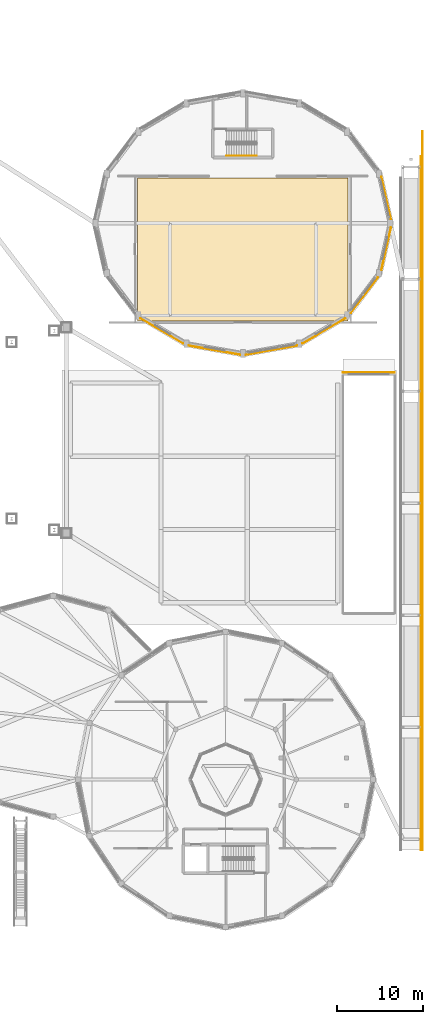
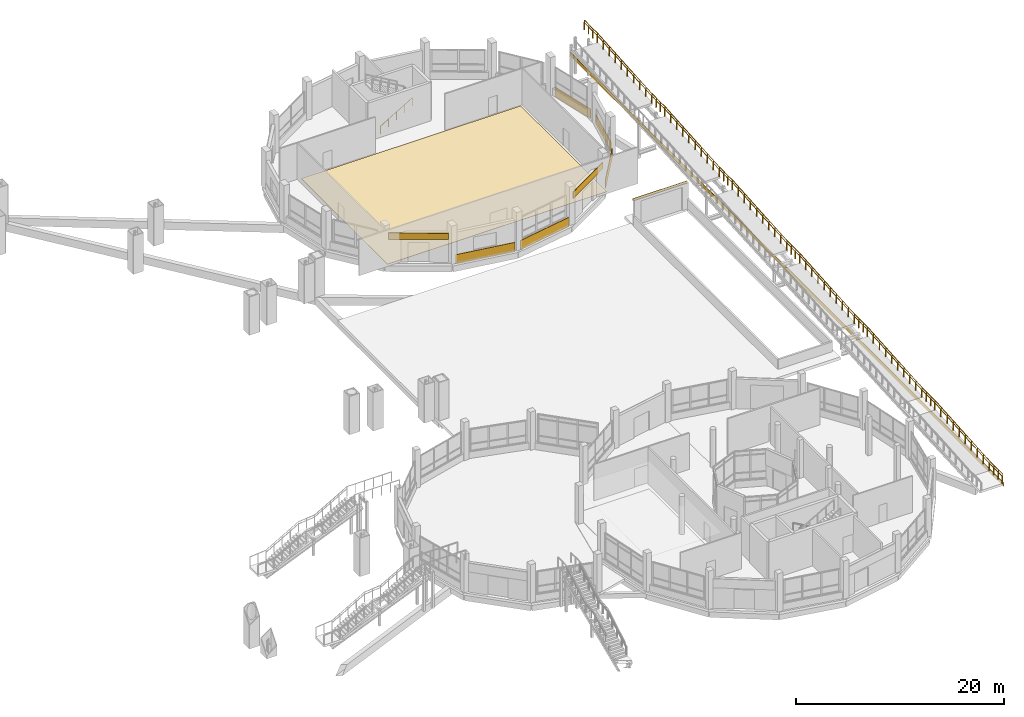
# One storey, part 128 of 129: 10 coverings, 3 railings.
"""IFC4 building model written with IfcOpenShell, lengths in metres."""

from ifc_helpers import new_model, si_unit, direction, frame, frame_2d, origin, origin_2d, place, context, subcontext, project, spatial, polyline, rectangle, circle, outline, extrude, material, layer, layer_set, type_object, element, save


model = new_model("IFC4")

# Units and contexts
model_context = context("Model", 3, precision=1e-05, world=origin(), true_north=direction((0.0, 1.0)))
body_context = subcontext(model_context, "Body", "Model", "MODEL_VIEW")
ifc_project = project(units=[si_unit("LENGTHUNIT", "METRE"), si_unit("AREAUNIT", "SQUARE_METRE"), si_unit("VOLUMEUNIT", "CUBIC_METRE"), si_unit("PLANEANGLEUNIT", "RADIAN"), si_unit("MASSUNIT", "GRAM", prefix="KILO")], contexts=[model_context])

# Site, building, storey
site_placement = place(None, origin())
site = spatial("IfcSite", under=ifc_project, at=site_placement, CompositionType="ELEMENT")
building_placement = place(site_placement, origin())
building = spatial("IfcBuilding", under=site, at=building_placement, Name="Vespera Passage Community Centre", CompositionType="ELEMENT")
storey_placement = place(building_placement, origin())
storey = spatial("IfcBuildingStorey", under=building, at=storey_placement, Name="L00", CompositionType="ELEMENT", Elevation=0.0)

# Coverings
ifc_material_1 = material(Name="Precast concrete f'c 40 MPa", Category="concrete")
ifc_layer_1 = layer(ifc_material_1, 0.06005859375)
ifc_layer_set_1 = layer_set([ifc_layer_1], Name="Precast concrete f'c 40 MPa")
covering_type_1 = type_object("IfcCoveringType", Name="COV-CLAD-60E", PredefinedType="CLADDING", material=ifc_layer_set_1)
covering_1_placement = place(storey_placement, frame((159.07958984375, 94.894775390625, -0.260009765625), z_axis=(0.0, 0.0, 1.0), x_axis=(0.219734171438, -0.975559784894, 0.0)))
element("IfcCovering", 1, at=covering_1_placement, inside=storey, type_object=covering_type_1, Name="V2 L00 White Spandrel Band 1", PredefinedType="CLADDING", context=body_context, shape_type="SweptSolid", body=[
    extrude(rectangle(XDim=5.051025390625, YDim=0.06005859375, at=frame_2d((2.525390625, 0.0))), origin(), (0.0, 0.0, 1.0), 1.110107421875),
])
covering_2_placement = place(storey_placement, frame((136.0810546875, 75.550048828125, 2.699951171875), z_axis=(0.0, 0.0, 1.0), x_axis=(-0.861246761334, 0.508186989297, 0.0)))
element("IfcCovering", 2, at=covering_2_placement, inside=storey, type_object=covering_type_1, Name="V2 L00 Exit White Fascia 11", PredefinedType="CLADDING", context=body_context, shape_type="SweptSolid", body=[
    extrude(rectangle(XDim=5.794677734375, YDim=0.06005859375, at=frame_2d((2.8974609375, 0.0))), origin(), (0.0, 0.0, 1.0), 0.7451171875),
])
for number, where, z_axis, x_axis, name in (
    (3, (142.691650390625, 74.26123046875, -0.260009765625), (0.0, 0.0, 1.0), (-0.984920582468, 0.173007069888, 0.0), "V2 L00 White Sill Band 12"),
    (4, (149.301513671875, 75.31396484375, -0.260009765625), (0.0, 0.0, 1.0), (-0.984920582468, -0.173007069888, 0.0), "V2 L00 White Spandrel Band 13"),
):
    element("IfcCovering", number, at=place(storey_placement, frame(where, z_axis=z_axis, x_axis=x_axis)), inside=storey, type_object=covering_type_1, Name=name, PredefinedType="CLADDING", context=body_context, shape_type="SweptSolid", body=[
        extrude(rectangle(XDim=6.0849609375, YDim=0.06005859375, at=frame_2d((3.04248046875, 0.0))), origin(), (0.0, 0.0, 1.0), 1.110107421875),
    ])
covering_3_placement = place(storey_placement, frame((154.90966796875, 78.494873046875, 2.699951171875), z_axis=(0.0, 0.0, 1.0), x_axis=(-0.861246761334, -0.508186989297, 0.0)))
element("IfcCovering", 5, at=covering_3_placement, inside=storey, type_object=covering_type_1, Name="V2 L00 Exit White Fascia 14", PredefinedType="CLADDING", context=body_context, shape_type="SweptSolid", body=[
    extrude(rectangle(XDim=5.794677734375, YDim=0.06005859375, at=frame_2d((2.8974609375, 0.0))), origin(), (0.0, 0.0, 1.0), 0.7451171875),
])
covering_4_placement = place(storey_placement, frame((158.664794921875, 83.23046875, -0.260009765625), z_axis=(0.0, 0.0, 1.0), x_axis=(-0.603398282319, -0.797439974477, 0.0)))
element("IfcCovering", 6, at=covering_4_placement, inside=storey, type_object=covering_type_1, Name="V2 L00 White Spandrel Band 15", PredefinedType="CLADDING", context=body_context, shape_type="SweptSolid", body=[
    extrude(rectangle(XDim=5.19873046875, YDim=0.06005859375, at=frame_2d((2.599365234375, 0.0))), origin(), (0.0, 0.0, 1.0), 1.110107421875),
])
covering_5_placement = place(storey_placement, frame((160.189453125, 89.03271484375, -0.260009765625), z_axis=(0.0, 0.0, 1.0), x_axis=(-0.219734171438, -0.975559784894, 0.0)))
element("IfcCovering", 7, at=covering_5_placement, inside=storey, type_object=covering_type_1, Name="V2 L00 White Sill Band 16", PredefinedType="CLADDING", context=body_context, shape_type="SweptSolid", body=[
    extrude(rectangle(XDim=5.051025390625, YDim=0.06005859375, at=frame_2d((2.525390625, 0.0))), origin(), (0.0, 0.0, 1.0), 1.110107421875),
])
covering_6_placement = place(storey_placement, frame((154.60009765625, 72.18994140625, 2.800048828125), z_axis=(0.0, 0.0, 1.0), x_axis=(1.0, 0.0, 0.0)))
element("IfcCovering", 8, at=covering_6_placement, inside=storey, type_object=covering_type_1, Name="VR1 Portal White Fascia", PredefinedType="CLADDING", context=body_context, shape_type="SweptSolid", body=[
    extrude(rectangle(XDim=6.0, YDim=0.06005859375, at=frame_2d((3.0, 0.0))), origin(), (0.0, 0.0, 1.0), 0.25),
])
covering_7_placement = place(storey_placement, frame((163.830078125, 16.800048828125, -0.3798828125), z_axis=(0.0, 0.0, 1.0), x_axis=(0.0, 1.0, 0.0)))
element("IfcCovering", 9, at=covering_7_placement, inside=storey, type_object=covering_type_1, Name="At-Grade Civic Plinth Skirt RB1-E", PredefinedType="CLADDING", context=body_context, shape_type="SweptSolid", body=[
    extrude(rectangle(XDim=83.39990234375, YDim=0.06005859375, at=frame_2d((41.699951171875, 0.0))), origin(), (0.0, 0.0, 1.0), 0.429931640625),
])
ifc_material_2 = material(Name="Sprung maple sports flooring", Category="wood")
ifc_layer_2 = layer(ifc_material_2, 0.034912109375)
ifc_layer_set_2 = layer_set([ifc_layer_2], Name="Sprung maple sports flooring")
covering_type_2 = type_object("IfcCoveringType", Name="COV-SPORT-35I", PredefinedType="FLOORING", material=ifc_layer_set_2)
covering_8_placement = place(storey_placement, origin())
element("IfcCovering", 10, at=covering_8_placement, inside=storey, type_object=covering_type_2, Name="Sports Hall Sprung Maple Court Flooring", PredefinedType="FLOORING", context=body_context, shape_type="SweptSolid", body=[
    extrude(outline(polyline([(130.800048828125, 78.199951171875), (155.199951171875, 78.199951171875), (155.199951171875, 94.800048828125), (130.800048828125, 94.800048828125), (130.800048828125, 78.199951171875)])), origin(), (0.0, 0.0, 1.0), 0.034912109375),
])

# Railings
ifc_material_3 = material(Name="Steel ASTM A500 Grade C", Category="steel")
railing_type_1 = type_object("IfcRailingType", Name="RL-EXT-1100E", PredefinedType="GUARDRAIL", material=ifc_material_3)
railing_1_placement = place(storey_placement, frame((163.719970703125, 16.800048828125, 0.0)))
element("IfcRailing", 11, at=railing_1_placement, inside=storey, type_object=railing_type_1, Name="Ramped Garden Bridge E Guard", PredefinedType="GUARDRAIL", context=body_context, shape_type="SweptSolid", body=[
    extrude(circle(Radius=0.02392578125, at=origin_2d()), frame((0.0, 0.0, 1.09619140625), z_axis=(0.0, 1.0, 0.0), x_axis=(-1.0, 0.0, 0.0)), (0.0, 0.0, 1.0), 2.5),
    extrude(circle(Radius=0.02392578125, at=origin_2d()), frame((0.0, 2.5, 1.09619140625), z_axis=(0.0, 0.997458699831, 0.071247049988), x_axis=(-1.0, 0.0, 0.0)), (0.0, 0.0, 1.0), 10.52685546875),
    extrude(circle(Radius=0.02392578125, at=origin_2d()), frame((0.0, 13.0, 1.84619140625), z_axis=(0.0, 1.0, 0.0), x_axis=(-1.0, 0.0, 0.0)), (0.0, 0.0, 1.0), 2.5),
    extrude(circle(Radius=0.02392578125, at=origin_2d()), frame((0.0, 15.5, 1.84619140625), z_axis=(0.0, 0.997458699831, 0.071247049988), x_axis=(-1.0, 0.0, 0.0)), (0.0, 0.0, 1.0), 10.52685546875),
    extrude(circle(Radius=0.02392578125, at=origin_2d()), frame((0.0, 26.0, 2.59619140625), z_axis=(0.0, 1.0, 0.0), x_axis=(-1.0, 0.0, 0.0)), (0.0, 0.0, 1.0), 2.5),
    extrude(circle(Radius=0.02392578125, at=origin_2d()), frame((0.0, 28.5, 2.59619140625), z_axis=(0.0, 0.997458699831, 0.071247049988), x_axis=(-1.0, 0.0, 0.0)), (0.0, 0.0, 1.0), 10.52685546875),
    extrude(circle(Radius=0.02392578125, at=origin_2d()), frame((0.0, 39.0, 3.34619140625), z_axis=(0.0, 1.0, 0.0), x_axis=(-1.0, 0.0, 0.0)), (0.0, 0.0, 1.0), 2.5),
    extrude(circle(Radius=0.02392578125, at=origin_2d()), frame((0.0, 41.5, 3.34619140625), z_axis=(0.0, 0.997458699831, 0.071247049988), x_axis=(-1.0, 0.0, 0.0)), (0.0, 0.0, 1.0), 10.52685546875),
    extrude(circle(Radius=0.02392578125, at=origin_2d()), frame((0.0, 52.0, 4.09619140625), z_axis=(0.0, 1.0, 0.0), x_axis=(-1.0, 0.0, 0.0)), (0.0, 0.0, 1.0), 2.5),
    extrude(circle(Radius=0.02392578125, at=origin_2d()), frame((0.0, 54.5, 4.09619140625), z_axis=(0.0, 0.997458699831, 0.071247049988), x_axis=(-1.0, 0.0, 0.0)), (0.0, 0.0, 1.0), 10.52685546875),
    extrude(circle(Radius=0.02392578125, at=origin_2d()), frame((0.0, 65.0, 4.84619140625), z_axis=(0.0, 1.0, 0.0), x_axis=(-1.0, 0.0, 0.0)), (0.0, 0.0, 1.0), 2.5),
    extrude(circle(Radius=0.02392578125, at=origin_2d()), frame((0.0, 67.5, 4.84619140625), z_axis=(0.0, 0.997458699831, 0.071247049988), x_axis=(-1.0, 0.0, 0.0)), (0.0, 0.0, 1.0), 10.52685546875),
    extrude(circle(Radius=0.02392578125, at=origin_2d()), frame((0.0, 78.0, 5.59619140625), z_axis=(0.0, 1.0, 0.0), x_axis=(-1.0, 0.0, 0.0)), (0.0, 0.0, 1.0), 2.5),
    extrude(circle(Radius=0.02099609375, at=origin_2d()), origin(), (0.0, 0.0, 1.0), 1.072021484375),
    extrude(circle(Radius=0.02099609375, at=origin_2d()), frame((0.0, 0.833251953125, 0.0)), (0.0, 0.0, 1.0), 1.072021484375),
    extrude(circle(Radius=0.02099609375, at=origin_2d()), frame((0.0, 1.666748046875, 0.0)), (0.0, 0.0, 1.0), 1.072021484375),
    extrude(circle(Radius=0.02099609375, at=origin_2d()), frame((0.0, 2.5, 0.0)), (0.0, 0.0, 1.0), 1.072021484375),
    extrude(circle(Radius=0.02099609375, at=origin_2d()), frame((0.0, 3.666748046875, 0.083251953125)), (0.0, 0.0, 1.0), 1.072021484375),
    extrude(circle(Radius=0.02099609375, at=origin_2d()), frame((0.0, 4.833251953125, 0.166748046875)), (0.0, 0.0, 1.0), 1.072021484375),
    extrude(circle(Radius=0.02099609375, at=origin_2d()), frame((0.0, 6.0, 0.25)), (0.0, 0.0, 1.0), 1.072021484375),
    extrude(circle(Radius=0.02099609375, at=origin_2d()), frame((0.0, 7.166748046875, 0.333251953125)), (0.0, 0.0, 1.0), 1.072021484375),
    extrude(circle(Radius=0.02099609375, at=origin_2d()), frame((0.0, 8.333251953125, 0.416748046875)), (0.0, 0.0, 1.0), 1.072021484375),
    extrude(circle(Radius=0.02099609375, at=origin_2d()), frame((0.0, 9.5, 0.5)), (0.0, 0.0, 1.0), 1.072021484375),
    extrude(circle(Radius=0.02099609375, at=origin_2d()), frame((0.0, 10.666748046875, 0.583251953125)), (0.0, 0.0, 1.0), 1.072021484375),
    extrude(circle(Radius=0.02099609375, at=origin_2d()), frame((0.0, 11.833251953125, 0.666748046875)), (0.0, 0.0, 1.0), 1.072021484375),
    extrude(circle(Radius=0.02099609375, at=origin_2d()), frame((0.0, 13.0, 0.75)), (0.0, 0.0, 1.0), 1.072021484375),
    extrude(circle(Radius=0.02099609375, at=origin_2d()), frame((0.0, 13.833251953125, 0.75)), (0.0, 0.0, 1.0), 1.072021484375),
    extrude(circle(Radius=0.02099609375, at=origin_2d()), frame((0.0, 14.666748046875, 0.75)), (0.0, 0.0, 1.0), 1.072021484375),
    extrude(circle(Radius=0.02099609375, at=origin_2d()), frame((0.0, 15.5, 0.75)), (0.0, 0.0, 1.0), 1.072021484375),
    extrude(circle(Radius=0.02099609375, at=origin_2d()), frame((0.0, 16.666748046875, 0.833251953125)), (0.0, 0.0, 1.0), 1.072021484375),
    extrude(circle(Radius=0.02099609375, at=origin_2d()), frame((0.0, 17.833251953125, 0.916748046875)), (0.0, 0.0, 1.0), 1.072021484375),
    extrude(circle(Radius=0.02099609375, at=origin_2d()), frame((0.0, 19.0, 1.0)), (0.0, 0.0, 1.0), 1.072021484375),
    extrude(circle(Radius=0.02099609375, at=origin_2d()), frame((0.0, 20.166748046875, 1.083251953125)), (0.0, 0.0, 1.0), 1.072021484375),
    extrude(circle(Radius=0.02099609375, at=origin_2d()), frame((0.0, 21.333251953125, 1.166748046875)), (0.0, 0.0, 1.0), 1.072021484375),
    extrude(circle(Radius=0.02099609375, at=origin_2d()), frame((0.0, 22.5, 1.25)), (0.0, 0.0, 1.0), 1.072021484375),
    extrude(circle(Radius=0.02099609375, at=origin_2d()), frame((0.0, 23.666748046875, 1.333251953125)), (0.0, 0.0, 1.0), 1.072021484375),
    extrude(circle(Radius=0.02099609375, at=origin_2d()), frame((0.0, 24.833251953125, 1.416748046875)), (0.0, 0.0, 1.0), 1.072021484375),
    extrude(circle(Radius=0.02099609375, at=origin_2d()), frame((0.0, 26.0, 1.5)), (0.0, 0.0, 1.0), 1.072021484375),
    extrude(circle(Radius=0.02099609375, at=origin_2d()), frame((0.0, 26.833251953125, 1.5)), (0.0, 0.0, 1.0), 1.072021484375),
    extrude(circle(Radius=0.02099609375, at=origin_2d()), frame((0.0, 27.666748046875, 1.5)), (0.0, 0.0, 1.0), 1.072021484375),
    extrude(circle(Radius=0.02099609375, at=origin_2d()), frame((0.0, 28.5, 1.5)), (0.0, 0.0, 1.0), 1.072021484375),
    extrude(circle(Radius=0.02099609375, at=origin_2d()), frame((0.0, 29.666748046875, 1.583251953125)), (0.0, 0.0, 1.0), 1.072021484375),
    extrude(circle(Radius=0.02099609375, at=origin_2d()), frame((0.0, 30.833251953125, 1.666748046875)), (0.0, 0.0, 1.0), 1.072021484375),
    extrude(circle(Radius=0.02099609375, at=origin_2d()), frame((0.0, 32.0, 1.75)), (0.0, 0.0, 1.0), 1.072021484375),
    extrude(circle(Radius=0.02099609375, at=origin_2d()), frame((0.0, 33.166748046875, 1.833251953125)), (0.0, 0.0, 1.0), 1.072021484375),
    extrude(circle(Radius=0.02099609375, at=origin_2d()), frame((0.0, 34.333251953125, 1.916748046875)), (0.0, 0.0, 1.0), 1.072021484375),
    extrude(circle(Radius=0.02099609375, at=origin_2d()), frame((0.0, 35.5, 2.0)), (0.0, 0.0, 1.0), 1.072021484375),
    extrude(circle(Radius=0.02099609375, at=origin_2d()), frame((0.0, 36.666748046875, 2.083251953125)), (0.0, 0.0, 1.0), 1.072021484375),
    extrude(circle(Radius=0.02099609375, at=origin_2d()), frame((0.0, 37.833251953125, 2.166748046875)), (0.0, 0.0, 1.0), 1.072021484375),
    extrude(circle(Radius=0.02099609375, at=origin_2d()), frame((0.0, 39.0, 2.25)), (0.0, 0.0, 1.0), 1.072021484375),
    extrude(circle(Radius=0.02099609375, at=origin_2d()), frame((0.0, 39.833251953125, 2.25)), (0.0, 0.0, 1.0), 1.072021484375),
    extrude(circle(Radius=0.02099609375, at=origin_2d()), frame((0.0, 40.666748046875, 2.25)), (0.0, 0.0, 1.0), 1.072021484375),
    extrude(circle(Radius=0.02099609375, at=origin_2d()), frame((0.0, 41.5, 2.25)), (0.0, 0.0, 1.0), 1.072021484375),
    extrude(circle(Radius=0.02099609375, at=origin_2d()), frame((0.0, 42.666748046875, 2.333251953125)), (0.0, 0.0, 1.0), 1.072021484375),
    extrude(circle(Radius=0.02099609375, at=origin_2d()), frame((0.0, 43.833251953125, 2.416748046875)), (0.0, 0.0, 1.0), 1.072021484375),
    extrude(circle(Radius=0.02099609375, at=origin_2d()), frame((0.0, 45.0, 2.5)), (0.0, 0.0, 1.0), 1.072021484375),
    extrude(circle(Radius=0.02099609375, at=origin_2d()), frame((0.0, 46.166748046875, 2.583251953125)), (0.0, 0.0, 1.0), 1.072021484375),
    extrude(circle(Radius=0.02099609375, at=origin_2d()), frame((0.0, 47.333251953125, 2.666748046875)), (0.0, 0.0, 1.0), 1.072021484375),
    extrude(circle(Radius=0.02099609375, at=origin_2d()), frame((0.0, 48.5, 2.75)), (0.0, 0.0, 1.0), 1.072021484375),
    extrude(circle(Radius=0.02099609375, at=origin_2d()), frame((0.0, 49.666748046875, 2.833251953125)), (0.0, 0.0, 1.0), 1.072021484375),
    extrude(circle(Radius=0.02099609375, at=origin_2d()), frame((0.0, 50.833251953125, 2.916748046875)), (0.0, 0.0, 1.0), 1.072021484375),
    extrude(circle(Radius=0.02099609375, at=origin_2d()), frame((0.0, 52.0, 3.0)), (0.0, 0.0, 1.0), 1.072021484375),
    extrude(circle(Radius=0.02099609375, at=origin_2d()), frame((0.0, 52.833251953125, 3.0)), (0.0, 0.0, 1.0), 1.072021484375),
    extrude(circle(Radius=0.02099609375, at=origin_2d()), frame((0.0, 53.666748046875, 3.0)), (0.0, 0.0, 1.0), 1.072021484375),
    extrude(circle(Radius=0.02099609375, at=origin_2d()), frame((0.0, 54.5, 3.0)), (0.0, 0.0, 1.0), 1.072021484375),
    extrude(circle(Radius=0.02099609375, at=origin_2d()), frame((0.0, 55.666748046875, 3.083251953125)), (0.0, 0.0, 1.0), 1.072021484375),
    extrude(circle(Radius=0.02099609375, at=origin_2d()), frame((0.0, 56.833251953125, 3.166748046875)), (0.0, 0.0, 1.0), 1.072021484375),
    extrude(circle(Radius=0.02099609375, at=origin_2d()), frame((0.0, 58.0, 3.25)), (0.0, 0.0, 1.0), 1.072021484375),
    extrude(circle(Radius=0.02099609375, at=origin_2d()), frame((0.0, 59.166748046875, 3.333251953125)), (0.0, 0.0, 1.0), 1.072021484375),
    extrude(circle(Radius=0.02099609375, at=origin_2d()), frame((0.0, 60.333251953125, 3.416748046875)), (0.0, 0.0, 1.0), 1.072021484375),
    extrude(circle(Radius=0.02099609375, at=origin_2d()), frame((0.0, 61.5, 3.5)), (0.0, 0.0, 1.0), 1.072021484375),
    extrude(circle(Radius=0.02099609375, at=origin_2d()), frame((0.0, 62.666748046875, 3.583251953125)), (0.0, 0.0, 1.0), 1.072021484375),
    extrude(circle(Radius=0.02099609375, at=origin_2d()), frame((0.0, 63.833251953125, 3.666748046875)), (0.0, 0.0, 1.0), 1.072021484375),
    extrude(circle(Radius=0.02099609375, at=origin_2d()), frame((0.0, 65.0, 3.75)), (0.0, 0.0, 1.0), 1.072021484375),
    extrude(circle(Radius=0.02099609375, at=origin_2d()), frame((0.0, 65.833251953125, 3.75)), (0.0, 0.0, 1.0), 1.072021484375),
    extrude(circle(Radius=0.02099609375, at=origin_2d()), frame((0.0, 66.666748046875, 3.75)), (0.0, 0.0, 1.0), 1.072021484375),
    extrude(circle(Radius=0.02099609375, at=origin_2d()), frame((0.0, 67.5, 3.75)), (0.0, 0.0, 1.0), 1.072021484375),
    extrude(circle(Radius=0.02099609375, at=origin_2d()), frame((0.0, 68.666748046875, 3.833251953125)), (0.0, 0.0, 1.0), 1.072021484375),
    extrude(circle(Radius=0.02099609375, at=origin_2d()), frame((0.0, 69.833251953125, 3.916748046875)), (0.0, 0.0, 1.0), 1.072021484375),
    extrude(circle(Radius=0.02099609375, at=origin_2d()), frame((0.0, 71.0, 4.0)), (0.0, 0.0, 1.0), 1.072021484375),
    extrude(circle(Radius=0.02099609375, at=origin_2d()), frame((0.0, 72.166748046875, 4.083251953125)), (0.0, 0.0, 1.0), 1.072021484375),
    extrude(circle(Radius=0.02099609375, at=origin_2d()), frame((0.0, 73.333251953125, 4.166748046875)), (0.0, 0.0, 1.0), 1.072021484375),
    extrude(circle(Radius=0.02099609375, at=origin_2d()), frame((0.0, 74.5, 4.25)), (0.0, 0.0, 1.0), 1.072021484375),
    extrude(circle(Radius=0.02099609375, at=origin_2d()), frame((0.0, 75.666748046875, 4.333251953125)), (0.0, 0.0, 1.0), 1.072021484375),
    extrude(circle(Radius=0.02099609375, at=origin_2d()), frame((0.0, 76.833251953125, 4.416748046875)), (0.0, 0.0, 1.0), 1.072021484375),
    extrude(circle(Radius=0.02099609375, at=origin_2d()), frame((0.0, 78.0, 4.5)), (0.0, 0.0, 1.0), 1.072021484375),
    extrude(circle(Radius=0.02099609375, at=origin_2d()), frame((0.0, 78.833251953125, 4.5)), (0.0, 0.0, 1.0), 1.072021484375),
    extrude(circle(Radius=0.02099609375, at=origin_2d()), frame((0.0, 79.666748046875, 4.5)), (0.0, 0.0, 1.0), 1.072021484375),
    extrude(circle(Radius=0.02099609375, at=origin_2d()), frame((0.0, 80.5, 4.5)), (0.0, 0.0, 1.0), 1.072021484375),
])
ifc_material_4 = material(Name="Steel ASTM A500 Grade C", Category="steel")
railing_type_2 = type_object("IfcRailingType", Name="RL-HAND-900I", PredefinedType="HANDRAIL", material=ifc_material_4)
railing_2_placement = place(storey_placement, frame((141.074951171875, 97.35009765625, 0.173095703125)))
element("IfcRailing", 12, at=railing_2_placement, inside=storey, type_object=railing_type_2, Name="L00 ST07 stair handrail 1", PredefinedType="HANDRAIL", context=body_context, shape_type="SweptSolid", body=[
    extrude(circle(Radius=0.02392578125, at=origin_2d()), frame((0.0, 0.0, 0.8759765625), z_axis=(0.862516251723, 0.0, 0.506029362304), x_axis=(0.0, 1.0, 0.0)), (0.0, 0.0, 1.0), 4.104248046875),
    extrude(circle(Radius=0.02099609375, at=origin_2d()), origin(), (0.0, 0.0, 1.0), 0.851806640625),
    extrude(circle(Radius=0.02099609375, at=origin_2d()), frame((0.885009765625, 0.0, 0.519287109375)), (0.0, 0.0, 1.0), 0.851806640625),
    extrude(circle(Radius=0.02099609375, at=origin_2d()), frame((1.77001953125, 0.0, 1.03857421875)), (0.0, 0.0, 1.0), 0.851806640625),
    extrude(circle(Radius=0.02099609375, at=origin_2d()), frame((2.655029296875, 0.0, 1.5576171875)), (0.0, 0.0, 1.0), 0.851806640625),
    extrude(circle(Radius=0.02099609375, at=origin_2d()), frame((3.5400390625, 0.0, 2.076904296875)), (0.0, 0.0, 1.0), 0.851806640625),
])
ifc_material_5 = material(Name="Steel ASTM A500 Grade C", Category="steel")
railing_type_3 = type_object("IfcRailingType", Name="RL-HR-900E", PredefinedType="HANDRAIL", material=ifc_material_5)
railing_3_placement = place(storey_placement, frame((163.659912109375, 16.800048828125, 0.0)))
element("IfcRailing", 13, at=railing_3_placement, inside=storey, type_object=railing_type_3, Name="Ramped Garden Bridge E Handrail", PredefinedType="HANDRAIL", context=body_context, shape_type="SweptSolid", body=[
    extrude(circle(Radius=0.02392578125, at=origin_2d()), frame((0.0, 0.0, 0.8759765625), z_axis=(0.0, 1.0, 0.0), x_axis=(-1.0, 0.0, 0.0)), (0.0, 0.0, 1.0), 2.5),
    extrude(circle(Radius=0.02392578125, at=origin_2d()), frame((0.0, 2.5, 0.8759765625), z_axis=(0.0, 0.997458699831, 0.071247049988), x_axis=(-1.0, 0.0, 0.0)), (0.0, 0.0, 1.0), 10.52685546875),
    extrude(circle(Radius=0.02392578125, at=origin_2d()), frame((0.0, 13.0, 1.6259765625), z_axis=(0.0, 1.0, 0.0), x_axis=(-1.0, 0.0, 0.0)), (0.0, 0.0, 1.0), 2.5),
    extrude(circle(Radius=0.02392578125, at=origin_2d()), frame((0.0, 15.5, 1.6259765625), z_axis=(0.0, 0.997458699831, 0.071247049988), x_axis=(-1.0, 0.0, 0.0)), (0.0, 0.0, 1.0), 10.52685546875),
    extrude(circle(Radius=0.02392578125, at=origin_2d()), frame((0.0, 26.0, 2.3759765625), z_axis=(0.0, 1.0, 0.0), x_axis=(-1.0, 0.0, 0.0)), (0.0, 0.0, 1.0), 2.5),
    extrude(circle(Radius=0.02392578125, at=origin_2d()), frame((0.0, 28.5, 2.3759765625), z_axis=(0.0, 0.997458699831, 0.071247049988), x_axis=(-1.0, 0.0, 0.0)), (0.0, 0.0, 1.0), 10.52685546875),
    extrude(circle(Radius=0.02392578125, at=origin_2d()), frame((0.0, 39.0, 3.1259765625), z_axis=(0.0, 1.0, 0.0), x_axis=(-1.0, 0.0, 0.0)), (0.0, 0.0, 1.0), 2.5),
    extrude(circle(Radius=0.02392578125, at=origin_2d()), frame((0.0, 41.5, 3.1259765625), z_axis=(0.0, 0.997458699831, 0.071247049988), x_axis=(-1.0, 0.0, 0.0)), (0.0, 0.0, 1.0), 10.52685546875),
    extrude(circle(Radius=0.02392578125, at=origin_2d()), frame((0.0, 52.0, 3.8759765625), z_axis=(0.0, 1.0, 0.0), x_axis=(-1.0, 0.0, 0.0)), (0.0, 0.0, 1.0), 2.5),
    extrude(circle(Radius=0.02392578125, at=origin_2d()), frame((0.0, 54.5, 3.8759765625), z_axis=(0.0, 0.997458699831, 0.071247049988), x_axis=(-1.0, 0.0, 0.0)), (0.0, 0.0, 1.0), 10.52685546875),
    extrude(circle(Radius=0.02392578125, at=origin_2d()), frame((0.0, 65.0, 4.6259765625), z_axis=(0.0, 1.0, 0.0), x_axis=(-1.0, 0.0, 0.0)), (0.0, 0.0, 1.0), 2.5),
    extrude(circle(Radius=0.02392578125, at=origin_2d()), frame((0.0, 67.5, 4.6259765625), z_axis=(0.0, 0.997458699831, 0.071247049988), x_axis=(-1.0, 0.0, 0.0)), (0.0, 0.0, 1.0), 10.52685546875),
    extrude(circle(Radius=0.02392578125, at=origin_2d()), frame((0.0, 78.0, 5.3759765625), z_axis=(0.0, 1.0, 0.0), x_axis=(-1.0, 0.0, 0.0)), (0.0, 0.0, 1.0), 2.5),
    extrude(circle(Radius=0.02099609375, at=origin_2d()), origin(), (0.0, 0.0, 1.0), 0.851806640625),
    extrude(circle(Radius=0.02099609375, at=origin_2d()), frame((0.0, 0.833251953125, 0.0)), (0.0, 0.0, 1.0), 0.851806640625),
    extrude(circle(Radius=0.02099609375, at=origin_2d()), frame((0.0, 1.666748046875, 0.0)), (0.0, 0.0, 1.0), 0.851806640625),
    extrude(circle(Radius=0.02099609375, at=origin_2d()), frame((0.0, 2.5, 0.0)), (0.0, 0.0, 1.0), 0.851806640625),
    extrude(circle(Radius=0.02099609375, at=origin_2d()), frame((0.0, 3.666748046875, 0.083251953125)), (0.0, 0.0, 1.0), 0.851806640625),
    extrude(circle(Radius=0.02099609375, at=origin_2d()), frame((0.0, 4.833251953125, 0.166748046875)), (0.0, 0.0, 1.0), 0.851806640625),
    extrude(circle(Radius=0.02099609375, at=origin_2d()), frame((0.0, 6.0, 0.25)), (0.0, 0.0, 1.0), 0.851806640625),
    extrude(circle(Radius=0.02099609375, at=origin_2d()), frame((0.0, 7.166748046875, 0.333251953125)), (0.0, 0.0, 1.0), 0.851806640625),
    extrude(circle(Radius=0.02099609375, at=origin_2d()), frame((0.0, 8.333251953125, 0.416748046875)), (0.0, 0.0, 1.0), 0.851806640625),
    extrude(circle(Radius=0.02099609375, at=origin_2d()), frame((0.0, 9.5, 0.5)), (0.0, 0.0, 1.0), 0.851806640625),
    extrude(circle(Radius=0.02099609375, at=origin_2d()), frame((0.0, 10.666748046875, 0.583251953125)), (0.0, 0.0, 1.0), 0.851806640625),
    extrude(circle(Radius=0.02099609375, at=origin_2d()), frame((0.0, 11.833251953125, 0.666748046875)), (0.0, 0.0, 1.0), 0.851806640625),
    extrude(circle(Radius=0.02099609375, at=origin_2d()), frame((0.0, 13.0, 0.75)), (0.0, 0.0, 1.0), 0.851806640625),
    extrude(circle(Radius=0.02099609375, at=origin_2d()), frame((0.0, 13.833251953125, 0.75)), (0.0, 0.0, 1.0), 0.851806640625),
    extrude(circle(Radius=0.02099609375, at=origin_2d()), frame((0.0, 14.666748046875, 0.75)), (0.0, 0.0, 1.0), 0.851806640625),
    extrude(circle(Radius=0.02099609375, at=origin_2d()), frame((0.0, 15.5, 0.75)), (0.0, 0.0, 1.0), 0.851806640625),
    extrude(circle(Radius=0.02099609375, at=origin_2d()), frame((0.0, 16.666748046875, 0.833251953125)), (0.0, 0.0, 1.0), 0.851806640625),
    extrude(circle(Radius=0.02099609375, at=origin_2d()), frame((0.0, 17.833251953125, 0.916748046875)), (0.0, 0.0, 1.0), 0.851806640625),
    extrude(circle(Radius=0.02099609375, at=origin_2d()), frame((0.0, 19.0, 1.0)), (0.0, 0.0, 1.0), 0.851806640625),
    extrude(circle(Radius=0.02099609375, at=origin_2d()), frame((0.0, 20.166748046875, 1.083251953125)), (0.0, 0.0, 1.0), 0.851806640625),
    extrude(circle(Radius=0.02099609375, at=origin_2d()), frame((0.0, 21.333251953125, 1.166748046875)), (0.0, 0.0, 1.0), 0.851806640625),
    extrude(circle(Radius=0.02099609375, at=origin_2d()), frame((0.0, 22.5, 1.25)), (0.0, 0.0, 1.0), 0.851806640625),
    extrude(circle(Radius=0.02099609375, at=origin_2d()), frame((0.0, 23.666748046875, 1.333251953125)), (0.0, 0.0, 1.0), 0.851806640625),
    extrude(circle(Radius=0.02099609375, at=origin_2d()), frame((0.0, 24.833251953125, 1.416748046875)), (0.0, 0.0, 1.0), 0.851806640625),
    extrude(circle(Radius=0.02099609375, at=origin_2d()), frame((0.0, 26.0, 1.5)), (0.0, 0.0, 1.0), 0.851806640625),
    extrude(circle(Radius=0.02099609375, at=origin_2d()), frame((0.0, 26.833251953125, 1.5)), (0.0, 0.0, 1.0), 0.851806640625),
    extrude(circle(Radius=0.02099609375, at=origin_2d()), frame((0.0, 27.666748046875, 1.5)), (0.0, 0.0, 1.0), 0.851806640625),
    extrude(circle(Radius=0.02099609375, at=origin_2d()), frame((0.0, 28.5, 1.5)), (0.0, 0.0, 1.0), 0.851806640625),
    extrude(circle(Radius=0.02099609375, at=origin_2d()), frame((0.0, 29.666748046875, 1.583251953125)), (0.0, 0.0, 1.0), 0.851806640625),
    extrude(circle(Radius=0.02099609375, at=origin_2d()), frame((0.0, 30.833251953125, 1.666748046875)), (0.0, 0.0, 1.0), 0.851806640625),
    extrude(circle(Radius=0.02099609375, at=origin_2d()), frame((0.0, 32.0, 1.75)), (0.0, 0.0, 1.0), 0.851806640625),
    extrude(circle(Radius=0.02099609375, at=origin_2d()), frame((0.0, 33.166748046875, 1.833251953125)), (0.0, 0.0, 1.0), 0.851806640625),
    extrude(circle(Radius=0.02099609375, at=origin_2d()), frame((0.0, 34.333251953125, 1.916748046875)), (0.0, 0.0, 1.0), 0.851806640625),
    extrude(circle(Radius=0.02099609375, at=origin_2d()), frame((0.0, 35.5, 2.0)), (0.0, 0.0, 1.0), 0.851806640625),
    extrude(circle(Radius=0.02099609375, at=origin_2d()), frame((0.0, 36.666748046875, 2.083251953125)), (0.0, 0.0, 1.0), 0.851806640625),
    extrude(circle(Radius=0.02099609375, at=origin_2d()), frame((0.0, 37.833251953125, 2.166748046875)), (0.0, 0.0, 1.0), 0.851806640625),
    extrude(circle(Radius=0.02099609375, at=origin_2d()), frame((0.0, 39.0, 2.25)), (0.0, 0.0, 1.0), 0.851806640625),
    extrude(circle(Radius=0.02099609375, at=origin_2d()), frame((0.0, 39.833251953125, 2.25)), (0.0, 0.0, 1.0), 0.851806640625),
    extrude(circle(Radius=0.02099609375, at=origin_2d()), frame((0.0, 40.666748046875, 2.25)), (0.0, 0.0, 1.0), 0.851806640625),
    extrude(circle(Radius=0.02099609375, at=origin_2d()), frame((0.0, 41.5, 2.25)), (0.0, 0.0, 1.0), 0.851806640625),
    extrude(circle(Radius=0.02099609375, at=origin_2d()), frame((0.0, 42.666748046875, 2.333251953125)), (0.0, 0.0, 1.0), 0.851806640625),
    extrude(circle(Radius=0.02099609375, at=origin_2d()), frame((0.0, 43.833251953125, 2.416748046875)), (0.0, 0.0, 1.0), 0.851806640625),
    extrude(circle(Radius=0.02099609375, at=origin_2d()), frame((0.0, 45.0, 2.5)), (0.0, 0.0, 1.0), 0.851806640625),
    extrude(circle(Radius=0.02099609375, at=origin_2d()), frame((0.0, 46.166748046875, 2.583251953125)), (0.0, 0.0, 1.0), 0.851806640625),
    extrude(circle(Radius=0.02099609375, at=origin_2d()), frame((0.0, 47.333251953125, 2.666748046875)), (0.0, 0.0, 1.0), 0.851806640625),
    extrude(circle(Radius=0.02099609375, at=origin_2d()), frame((0.0, 48.5, 2.75)), (0.0, 0.0, 1.0), 0.851806640625),
    extrude(circle(Radius=0.02099609375, at=origin_2d()), frame((0.0, 49.666748046875, 2.833251953125)), (0.0, 0.0, 1.0), 0.851806640625),
    extrude(circle(Radius=0.02099609375, at=origin_2d()), frame((0.0, 50.833251953125, 2.916748046875)), (0.0, 0.0, 1.0), 0.851806640625),
    extrude(circle(Radius=0.02099609375, at=origin_2d()), frame((0.0, 52.0, 3.0)), (0.0, 0.0, 1.0), 0.851806640625),
    extrude(circle(Radius=0.02099609375, at=origin_2d()), frame((0.0, 52.833251953125, 3.0)), (0.0, 0.0, 1.0), 0.851806640625),
    extrude(circle(Radius=0.02099609375, at=origin_2d()), frame((0.0, 53.666748046875, 3.0)), (0.0, 0.0, 1.0), 0.851806640625),
    extrude(circle(Radius=0.02099609375, at=origin_2d()), frame((0.0, 54.5, 3.0)), (0.0, 0.0, 1.0), 0.851806640625),
    extrude(circle(Radius=0.02099609375, at=origin_2d()), frame((0.0, 55.666748046875, 3.083251953125)), (0.0, 0.0, 1.0), 0.851806640625),
    extrude(circle(Radius=0.02099609375, at=origin_2d()), frame((0.0, 56.833251953125, 3.166748046875)), (0.0, 0.0, 1.0), 0.851806640625),
    extrude(circle(Radius=0.02099609375, at=origin_2d()), frame((0.0, 58.0, 3.25)), (0.0, 0.0, 1.0), 0.851806640625),
    extrude(circle(Radius=0.02099609375, at=origin_2d()), frame((0.0, 59.166748046875, 3.333251953125)), (0.0, 0.0, 1.0), 0.851806640625),
    extrude(circle(Radius=0.02099609375, at=origin_2d()), frame((0.0, 60.333251953125, 3.416748046875)), (0.0, 0.0, 1.0), 0.851806640625),
    extrude(circle(Radius=0.02099609375, at=origin_2d()), frame((0.0, 61.5, 3.5)), (0.0, 0.0, 1.0), 0.851806640625),
    extrude(circle(Radius=0.02099609375, at=origin_2d()), frame((0.0, 62.666748046875, 3.583251953125)), (0.0, 0.0, 1.0), 0.851806640625),
    extrude(circle(Radius=0.02099609375, at=origin_2d()), frame((0.0, 63.833251953125, 3.666748046875)), (0.0, 0.0, 1.0), 0.851806640625),
    extrude(circle(Radius=0.02099609375, at=origin_2d()), frame((0.0, 65.0, 3.75)), (0.0, 0.0, 1.0), 0.851806640625),
    extrude(circle(Radius=0.02099609375, at=origin_2d()), frame((0.0, 65.833251953125, 3.75)), (0.0, 0.0, 1.0), 0.851806640625),
    extrude(circle(Radius=0.02099609375, at=origin_2d()), frame((0.0, 66.666748046875, 3.75)), (0.0, 0.0, 1.0), 0.851806640625),
    extrude(circle(Radius=0.02099609375, at=origin_2d()), frame((0.0, 67.5, 3.75)), (0.0, 0.0, 1.0), 0.851806640625),
    extrude(circle(Radius=0.02099609375, at=origin_2d()), frame((0.0, 68.666748046875, 3.833251953125)), (0.0, 0.0, 1.0), 0.851806640625),
    extrude(circle(Radius=0.02099609375, at=origin_2d()), frame((0.0, 69.833251953125, 3.916748046875)), (0.0, 0.0, 1.0), 0.851806640625),
    extrude(circle(Radius=0.02099609375, at=origin_2d()), frame((0.0, 71.0, 4.0)), (0.0, 0.0, 1.0), 0.851806640625),
    extrude(circle(Radius=0.02099609375, at=origin_2d()), frame((0.0, 72.166748046875, 4.083251953125)), (0.0, 0.0, 1.0), 0.851806640625),
    extrude(circle(Radius=0.02099609375, at=origin_2d()), frame((0.0, 73.333251953125, 4.166748046875)), (0.0, 0.0, 1.0), 0.851806640625),
    extrude(circle(Radius=0.02099609375, at=origin_2d()), frame((0.0, 74.5, 4.25)), (0.0, 0.0, 1.0), 0.851806640625),
    extrude(circle(Radius=0.02099609375, at=origin_2d()), frame((0.0, 75.666748046875, 4.333251953125)), (0.0, 0.0, 1.0), 0.851806640625),
    extrude(circle(Radius=0.02099609375, at=origin_2d()), frame((0.0, 76.833251953125, 4.416748046875)), (0.0, 0.0, 1.0), 0.851806640625),
    extrude(circle(Radius=0.02099609375, at=origin_2d()), frame((0.0, 78.0, 4.5)), (0.0, 0.0, 1.0), 0.851806640625),
    extrude(circle(Radius=0.02099609375, at=origin_2d()), frame((0.0, 78.833251953125, 4.5)), (0.0, 0.0, 1.0), 0.851806640625),
    extrude(circle(Radius=0.02099609375, at=origin_2d()), frame((0.0, 79.666748046875, 4.5)), (0.0, 0.0, 1.0), 0.851806640625),
    extrude(circle(Radius=0.02099609375, at=origin_2d()), frame((0.0, 80.5, 4.5)), (0.0, 0.0, 1.0), 0.851806640625),
])

save(model, "model.ifc")
